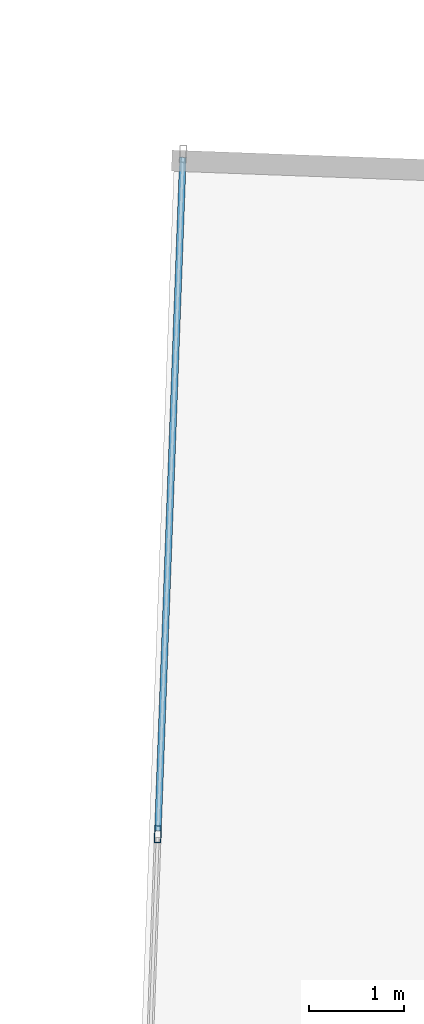
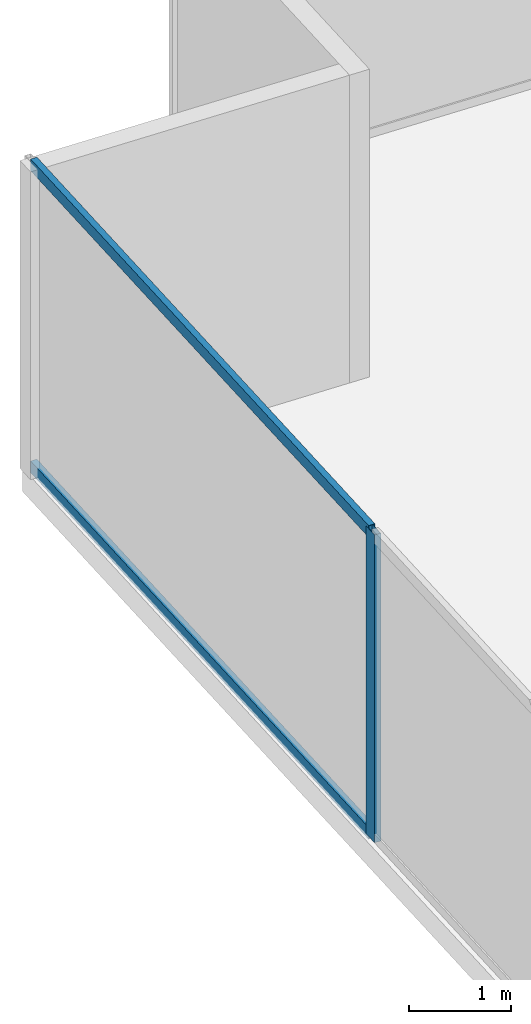
# One storey, part 19 of 30: 3 members, 1 element without a shape of its own.
"""IFC4 building model written with IfcOpenShell, lengths in metres."""

from ifc_helpers import new_model, si_unit, direction, frame, origin, origin_2d, place, context, subcontext, project, spatial, hollow_rectangle, extrude, source, transform, mapped, material, material_profile, profile_set, type_object, type_shapes, element, aggregate, save


model = new_model("IFC4")

# Units and contexts
model_context = context("Model", 3, precision=1e-05, world=origin(), true_north=direction((0.0, 1.0)))
body_context = subcontext(model_context, "Body", "Model", "MODEL_VIEW")
ifc_project = project(units=[si_unit("LENGTHUNIT", "METRE"), si_unit("AREAUNIT", "SQUARE_METRE"), si_unit("VOLUMEUNIT", "CUBIC_METRE"), si_unit("PLANEANGLEUNIT", "RADIAN"), si_unit("MASSUNIT", "GRAM", prefix="KILO")], contexts=[model_context])

# Site, building, storey
site_placement = place(None, origin())
site = spatial("IfcSite", under=ifc_project, at=site_placement, CompositionType="ELEMENT")
building_placement = place(site_placement, origin())
building = spatial("IfcBuilding", under=site, at=building_placement, Name="Krantzveldt Concourse Tower", CompositionType="ELEMENT")
storey_placement = place(building_placement, frame((0.0, 0.0, 40.800048828125)))
storey = spatial("IfcBuildingStorey", under=building, at=storey_placement, Name="L09", CompositionType="ELEMENT", Elevation=40.800048828125)

# Curtain wall, members
ifc_material = material(Name="Anodised aluminium 6063-T6", Category="aluminium")
curtain_wall_type = type_object("IfcCurtainWallType", Name="CW2", PredefinedType="USERDEFINED", material=ifc_material)
curtain_wall_placement = place(storey_placement, origin())
curtain_wall = element("IfcCurtainWall", 1, at=curtain_wall_placement, inside=storey, type_object=curtain_wall_type, Name="CW-L09-F01", ObjectType="UNITISED CURTAIN WALL", PredefinedType="USERDEFINED")
ifc_material_profile_1 = material_profile(ifc_material, hollow_rectangle(XDim=0.070068359375, YDim=0.179931640625, WallThickness=0.0048828125, at=origin_2d()), Name="Anodised aluminium 6063-T6", Category="aluminium")
ifc_profile_set_1 = profile_set([ifc_material_profile_1], Name="Anodised aluminium 6063-T6 - ALU-MULL 180x70x5")
member_type_1 = type_object("IfcMemberType", Name="CW-MUL-180", PredefinedType="MULLION", material=ifc_profile_set_1)
shared_shape_1 = source(origin(), body_context, "Body", "SweptSolid", [
    extrude(hollow_rectangle(XDim=0.070068359375, YDim=0.179931640625, WallThickness=0.0048828125, at=origin_2d()), origin(), (0.0, 0.0, 1.0), 3.669921875),
])
type_shapes(member_type_1, [shared_shape_1])
member_1_placement = place(storey_placement, frame((11.638671875, 41.947021484375, 0.0), z_axis=(0.0, 0.0, 1.0), x_axis=(0.999312308986, -0.037079766834, 0.0)))
member_1 = element("IfcMember", 2, at=member_1_placement, type_object=member_type_1, Name="CW-Z12 mullion 2", PredefinedType="MULLION", context=body_context, shape_type="MappedRepresentation", body=[
    mapped(shared_shape_1, transform((0.0, 0.0, 0.0), x_axis=(1.0, 0.0, 0.0), y_axis=(0.0, 1.0, 0.0), z_axis=(0.0, 0.0, 1.0), scale=1.0)),
])
ifc_material_profile_2 = material_profile(ifc_material, hollow_rectangle(XDim=0.070068359375, YDim=0.139892578125, WallThickness=0.0048828125, at=origin_2d()), Name="Anodised aluminium 6063-T6", Category="aluminium")
ifc_profile_set_2 = profile_set([ifc_material_profile_2], Name="Anodised aluminium 6063-T6 - ALU-TRAN 140x70x5")
member_type_2 = type_object("IfcMemberType", Name="CW-TRN-150", PredefinedType="USERDEFINED", material=ifc_profile_set_2)
shared_shape_2 = source(origin(), body_context, "Body", "SweptSolid", [
    extrude(hollow_rectangle(XDim=0.070068359375, YDim=0.139892578125, WallThickness=0.0048828125, at=origin_2d()), origin(), (0.0, 0.0, 1.0), 7.0615234375),
])
type_shapes(member_type_2, [shared_shape_2])
member_2_placement = place(storey_placement, frame((11.90185546875, 49.038818359375, 0.034912109375), z_axis=(-0.037097336281, -0.999311656912, 0.0), x_axis=(0.999311656912, -0.037097336281, 0.0)))
member_2 = element("IfcMember", 3, at=member_2_placement, type_object=member_type_2, Name="CW-Z12 transom 1.1", ObjectType="TRANSOM", PredefinedType="USERDEFINED", context=body_context, shape_type="MappedRepresentation", body=[
    mapped(shared_shape_2, transform((0.0, 0.0, 0.0), x_axis=(1.0, 0.0, 0.0), y_axis=(0.0, 1.0, 0.0), z_axis=(0.0, 0.0, 1.0), scale=1.0)),
])
member_3_placement = place(storey_placement, frame((11.90185546875, 49.038818359375, 3.635009765625), z_axis=(-0.037097336281, -0.999311656912, 0.0), x_axis=(0.999311656912, -0.037097336281, 0.0)))
member_3 = element("IfcMember", 4, at=member_3_placement, type_object=member_type_2, Name="CW-Z12 transom 1.2", ObjectType="TRANSOM", PredefinedType="USERDEFINED", context=body_context, shape_type="MappedRepresentation", body=[
    mapped(shared_shape_2, transform((0.0, 0.0, 0.0), x_axis=(1.0, 0.0, 0.0), y_axis=(0.0, 1.0, 0.0), z_axis=(0.0, 0.0, 1.0), scale=1.0)),
])
aggregate(curtain_wall, [member_1, member_2, member_3])

save(model, "model.ifc")
